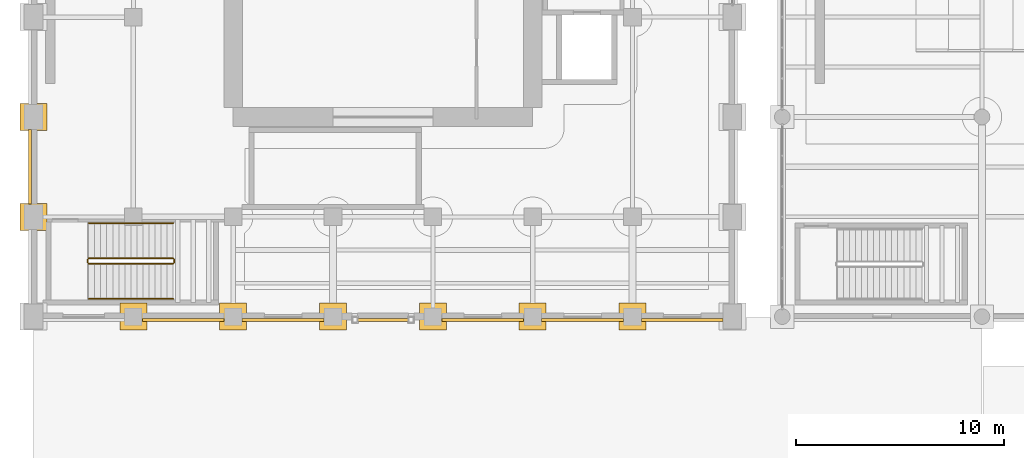
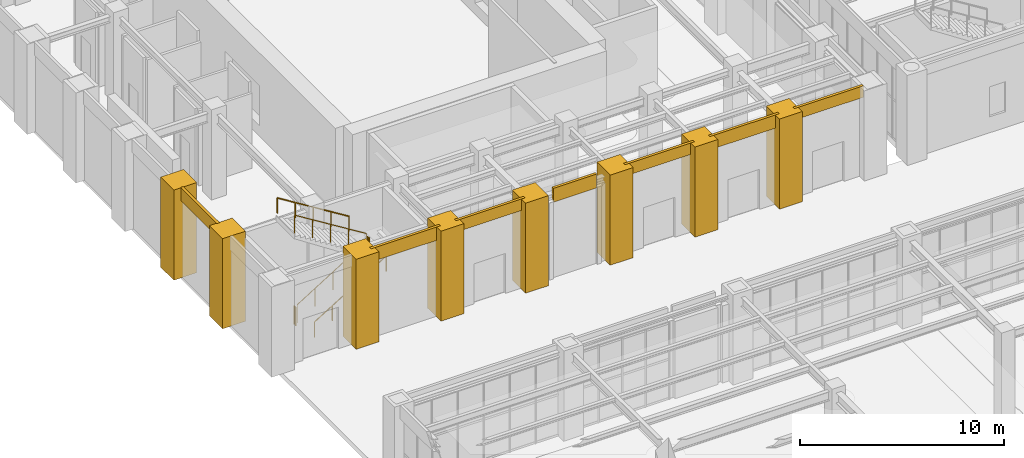
# One storey, part 143 of 164: 15 coverings, 6 railings.
"""IFC4 building model written with IfcOpenShell, lengths in metres."""

from ifc_helpers import new_model, si_unit, direction, frame, origin, origin_2d, place, context, subcontext, project, spatial, polyline, circle, outline, extrude, material, layer, layer_set, type_object, element, save


model = new_model("IFC4")

# Units and contexts
model_context = context("Model", 3, precision=1e-05, world=origin(), true_north=direction((0.0, 1.0)))
body_context = subcontext(model_context, "Body", "Model", "MODEL_VIEW")
ifc_project = project(units=[si_unit("LENGTHUNIT", "METRE"), si_unit("AREAUNIT", "SQUARE_METRE"), si_unit("VOLUMEUNIT", "CUBIC_METRE"), si_unit("PLANEANGLEUNIT", "RADIAN"), si_unit("MASSUNIT", "GRAM", prefix="KILO")], contexts=[model_context])

# Site, building, storey
site_placement = place(None, origin())
site = spatial("IfcSite", under=ifc_project, at=site_placement, CompositionType="ELEMENT")
building_placement = place(site_placement, origin())
building = spatial("IfcBuilding", under=site, at=building_placement, Name="Mavantir Sound Aquarium", CompositionType="ELEMENT")
storey_placement = place(building_placement, origin())
storey = spatial("IfcBuildingStorey", under=building, at=storey_placement, Name="L00", CompositionType="ELEMENT", Elevation=0.0)

# Coverings
ifc_material_1 = material(Name="Honed Coral-Limestone & Glazed Terracotta Rainscreen Cladding", Category="masonry")
ifc_layer = layer(ifc_material_1, 0.06005859375, Name="Honed Coral-Limestone & Glazed Terracotta Rainscreen Cladding")
ifc_layer_set = layer_set([ifc_layer], Name="Honed Coral-Limestone & Glazed Terracotta Rainscreen Cladding")
covering_type = type_object("IfcCoveringType", Name="COV-CLAD-TC", PredefinedType="CLADDING", material=ifc_layer_set)
covering_1_placement = place(storey_placement, frame((0.0, 0.0, 4.60791015625)))
element("IfcCovering", 1, at=covering_1_placement, inside=storey, type_object=covering_type, Name="L00 Postmodern coral-limestone spandrel frieze 22", PredefinedType="CLADDING", context=body_context, shape_type="SweptSolid", body=[
    extrude(outline(polyline([(-0.090087890625, 49.7919921875), (-0.090087890625, 46.2080078125), (-0.239990234375, 46.2080078125), (-0.239990234375, 49.7919921875), (-0.090087890625, 49.7919921875)])), origin(), (0.0, 0.0, 1.0), 0.7919921875),
])
covering_2_placement = place(storey_placement, frame((0.0, 0.0, 4.60791015625)))
element("IfcCovering", 2, at=covering_2_placement, inside=storey, type_object=covering_type, Name="L00 Postmodern coral-limestone spandrel frieze 25", PredefinedType="CLADDING", context=body_context, shape_type="SweptSolid", body=[
    extrude(outline(polyline([(5.23291015625, 40.7099609375), (9.1669921875, 40.7099609375), (9.1669921875, 40.56005859375), (5.23291015625, 40.56005859375), (5.23291015625, 40.7099609375)])), origin(), (0.0, 0.0, 1.0), 0.7919921875),
])
covering_3_placement = place(storey_placement, frame((0.0, 0.0, 4.712890625)))
element("IfcCovering", 3, at=covering_3_placement, inside=storey, type_object=covering_type, Name="L00 Postmodern coral-limestone spandrel frieze 26", PredefinedType="CLADDING", context=body_context, shape_type="SweptSolid", body=[
    extrude(outline(polyline([(10.032958984375, 40.7099609375), (13.967041015625, 40.7099609375), (13.967041015625, 40.56005859375), (10.032958984375, 40.56005859375), (10.032958984375, 40.7099609375)])), origin(), (0.0, 0.0, 1.0), 0.68701171875),
])
covering_4_placement = place(storey_placement, frame((0.0, 0.0, 4.571044921875)))
element("IfcCovering", 4, at=covering_4_placement, inside=storey, type_object=covering_type, Name="L00 Postmodern coral-limestone spandrel frieze 27", PredefinedType="CLADDING", context=body_context, shape_type="SweptSolid", body=[
    extrude(outline(polyline([(15.5830078125, 40.7099609375), (18.01708984375, 40.7099609375), (18.01708984375, 40.56005859375), (15.5830078125, 40.56005859375), (15.5830078125, 40.7099609375)])), origin(), (0.0, 0.0, 1.0), 0.828857421875),
])
covering_5_placement = place(storey_placement, frame((0.0, 0.0, 4.712890625)))
element("IfcCovering", 5, at=covering_5_placement, inside=storey, type_object=covering_type, Name="L00 Postmodern coral-limestone spandrel frieze 28", PredefinedType="CLADDING", context=body_context, shape_type="SweptSolid", body=[
    extrude(outline(polyline([(19.633056640625, 40.7099609375), (23.56689453125, 40.7099609375), (23.56689453125, 40.56005859375), (19.633056640625, 40.56005859375), (19.633056640625, 40.7099609375)])), origin(), (0.0, 0.0, 1.0), 0.68701171875),
])
covering_6_placement = place(storey_placement, frame((0.0, 0.0, 4.60791015625)))
element("IfcCovering", 6, at=covering_6_placement, inside=storey, type_object=covering_type, Name="L00 Postmodern coral-limestone spandrel frieze 29", PredefinedType="CLADDING", context=body_context, shape_type="SweptSolid", body=[
    extrude(outline(polyline([(24.43310546875, 40.7099609375), (28.366943359375, 40.7099609375), (28.366943359375, 40.56005859375), (24.43310546875, 40.56005859375), (24.43310546875, 40.7099609375)])), origin(), (0.0, 0.0, 1.0), 0.7919921875),
])
covering_7_placement = place(storey_placement, frame((0.0, 0.0, 4.712890625)))
element("IfcCovering", 7, at=covering_7_placement, inside=storey, type_object=covering_type, Name="L00 Postmodern coral-limestone spandrel frieze 30", PredefinedType="CLADDING", context=body_context, shape_type="SweptSolid", body=[
    extrude(outline(polyline([(29.23291015625, 40.7099609375), (33.14208984375, 40.7099609375), (33.14208984375, 40.56005859375), (29.23291015625, 40.56005859375), (29.23291015625, 40.7099609375)])), origin(), (0.0, 0.0, 1.0), 0.68701171875),
])
covering_8_placement = place(storey_placement, origin())
element("IfcCovering", 8, at=covering_8_placement, inside=storey, type_object=covering_type, Name="L00 Postmodern coral-limestone pilaster casing 5", PredefinedType="CLADDING", context=body_context, shape_type="SweptSolid", body=[
    extrude(outline(polyline([(-0.64990234375, 44.949951171875), (0.64990234375, 44.949951171875), (0.64990234375, 46.25), (-0.64990234375, 46.25), (-0.64990234375, 44.949951171875)])), origin(), (0.0, 0.0, 1.0), 5.39990234375),
])
covering_9_placement = place(storey_placement, origin())
element("IfcCovering", 9, at=covering_9_placement, inside=storey, type_object=covering_type, Name="L00 Postmodern coral-limestone pilaster casing 9", PredefinedType="CLADDING", context=body_context, shape_type="SweptSolid", body=[
    extrude(outline(polyline([(-0.64990234375, 49.75), (0.64990234375, 49.75), (0.64990234375, 51.050048828125), (-0.64990234375, 51.050048828125), (-0.64990234375, 49.75)])), origin(), (0.0, 0.0, 1.0), 5.39990234375),
])
covering_10_placement = place(storey_placement, origin())
element("IfcCovering", 10, at=covering_10_placement, inside=storey, type_object=covering_type, Name="L00 Postmodern coral-limestone pilaster casing 37", PredefinedType="CLADDING", context=body_context, shape_type="SweptSolid", body=[
    extrude(outline(polyline([(4.14990234375, 40.14990234375), (5.449951171875, 40.14990234375), (5.449951171875, 41.449951171875), (4.14990234375, 41.449951171875), (4.14990234375, 40.14990234375)])), origin(), (0.0, 0.0, 1.0), 5.39990234375),
])
covering_11_placement = place(storey_placement, origin())
element("IfcCovering", 11, at=covering_11_placement, inside=storey, type_object=covering_type, Name="L00 Postmodern coral-limestone pilaster casing 45", PredefinedType="CLADDING", context=body_context, shape_type="SweptSolid", body=[
    extrude(outline(polyline([(8.949951171875, 40.14990234375), (10.25, 40.14990234375), (10.25, 41.449951171875), (8.949951171875, 41.449951171875), (8.949951171875, 40.14990234375)])), origin(), (0.0, 0.0, 1.0), 5.39990234375),
])
covering_12_placement = place(storey_placement, origin())
element("IfcCovering", 12, at=covering_12_placement, inside=storey, type_object=covering_type, Name="L00 Postmodern coral-limestone pilaster casing 53", PredefinedType="CLADDING", context=body_context, shape_type="SweptSolid", body=[
    extrude(outline(polyline([(13.75, 40.14990234375), (15.050048828125, 40.14990234375), (15.050048828125, 41.449951171875), (13.75, 41.449951171875), (13.75, 40.14990234375)])), origin(), (0.0, 0.0, 1.0), 5.39990234375),
])
covering_13_placement = place(storey_placement, origin())
element("IfcCovering", 13, at=covering_13_placement, inside=storey, type_object=covering_type, Name="L00 Postmodern coral-limestone pilaster casing 61", PredefinedType="CLADDING", context=body_context, shape_type="SweptSolid", body=[
    extrude(outline(polyline([(18.550048828125, 40.14990234375), (19.85009765625, 40.14990234375), (19.85009765625, 41.449951171875), (18.550048828125, 41.449951171875), (18.550048828125, 40.14990234375)])), origin(), (0.0, 0.0, 1.0), 5.39990234375),
])
covering_14_placement = place(storey_placement, origin())
element("IfcCovering", 14, at=covering_14_placement, inside=storey, type_object=covering_type, Name="L00 Postmodern coral-limestone pilaster casing 69", PredefinedType="CLADDING", context=body_context, shape_type="SweptSolid", body=[
    extrude(outline(polyline([(23.35009765625, 40.14990234375), (24.64990234375, 40.14990234375), (24.64990234375, 41.449951171875), (23.35009765625, 41.449951171875), (23.35009765625, 40.14990234375)])), origin(), (0.0, 0.0, 1.0), 5.39990234375),
])
covering_15_placement = place(storey_placement, origin())
element("IfcCovering", 15, at=covering_15_placement, inside=storey, type_object=covering_type, Name="L00 Postmodern coral-limestone pilaster casing 77", PredefinedType="CLADDING", context=body_context, shape_type="SweptSolid", body=[
    extrude(outline(polyline([(28.14990234375, 40.14990234375), (29.449951171875, 40.14990234375), (29.449951171875, 41.449951171875), (28.14990234375, 41.449951171875), (28.14990234375, 40.14990234375)])), origin(), (0.0, 0.0, 1.0), 5.39990234375),
])

# Railings
ifc_material_2 = material(Name="Stainless Steel 316 and Laminated Glass Guardrail", Category="steel")
railing_type_1 = type_object("IfcRailingType", Name="RL-GUARD-110", PredefinedType="GUARDRAIL", material=ifc_material_2)
railing_1_placement = place(storey_placement, frame((2.64990234375, 43.35009765625, 0.179931640625)))
element("IfcRailing", 16, at=railing_1_placement, inside=storey, type_object=railing_type_1, Name="L00 ST1 stair guard 1", PredefinedType="GUARDRAIL", context=body_context, shape_type="SweptSolid", body=[
    extrude(circle(Radius=0.02392578125, at=origin_2d()), frame((0.0, 0.0, 1.076171875), z_axis=(0.849641744969, 0.0, 0.527360318194), x_axis=(0.0, 1.0, 0.0)), (0.0, 0.0, 1.0), 4.778564453125),
    extrude(circle(Radius=0.02099609375, at=origin_2d()), origin(), (0.0, 0.0, 1.0), 1.052001953125),
    extrude(circle(Radius=0.02099609375, at=origin_2d()), frame((1.01513671875, 0.0, 0.6298828125)), (0.0, 0.0, 1.0), 1.052001953125),
    extrude(circle(Radius=0.02099609375, at=origin_2d()), frame((2.030029296875, 0.0, 1.260009765625)), (0.0, 0.0, 1.0), 1.052001953125),
    extrude(circle(Radius=0.02099609375, at=origin_2d()), frame((3.044921875, 0.0, 1.89013671875)), (0.0, 0.0, 1.0), 1.052001953125),
    extrude(circle(Radius=0.02099609375, at=origin_2d()), frame((4.06005859375, 0.0, 2.52001953125)), (0.0, 0.0, 1.0), 1.052001953125),
])
railing_2_placement = place(storey_placement, frame((6.760009765625, 43.39990234375, 2.699951171875)))
element("IfcRailing", 17, at=railing_2_placement, inside=storey, type_object=railing_type_1, Name="L00 ST1 stair guard 2", PredefinedType="GUARDRAIL", context=body_context, shape_type="SweptSolid", body=[
    extrude(circle(Radius=0.02392578125, at=origin_2d()), frame((0.0, 0.0, 1.076171875), z_axis=(0.0, 1.0, 0.0), x_axis=(-1.0, 0.0, 0.0)), (0.0, 0.0, 1.0), 0.150146484375),
    extrude(circle(Radius=0.02099609375, at=origin_2d()), origin(), (0.0, 0.0, 1.0), 1.052001953125),
    extrude(circle(Radius=0.02099609375, at=origin_2d()), frame((0.0, 0.150146484375, 0.0)), (0.0, 0.0, 1.0), 1.052001953125),
])
railing_3_placement = place(storey_placement, frame((6.7099609375, 43.60009765625, 2.8798828125)))
element("IfcRailing", 18, at=railing_3_placement, inside=storey, type_object=railing_type_1, Name="L00 ST1 stair guard 3", PredefinedType="GUARDRAIL", context=body_context, shape_type="SweptSolid", body=[
    extrude(circle(Radius=0.02392578125, at=origin_2d()), frame((0.0, 0.0, 1.076171875), z_axis=(-0.849641744969, 0.0, 0.527360318194), x_axis=(0.0, -1.0, 0.0)), (0.0, 0.0, 1.0), 4.778564453125),
    extrude(circle(Radius=0.02099609375, at=origin_2d()), origin(), (0.0, 0.0, 1.0), 1.052001953125),
    extrude(circle(Radius=0.02099609375, at=origin_2d()), frame((-1.01513671875, 0.0, 0.6298828125)), (0.0, 0.0, 1.0), 1.052001953125),
    extrude(circle(Radius=0.02099609375, at=origin_2d()), frame((-2.030029296875, 0.0, 1.260009765625)), (0.0, 0.0, 1.0), 1.052001953125),
    extrude(circle(Radius=0.02099609375, at=origin_2d()), frame((-3.044921875, 0.0, 1.89013671875)), (0.0, 0.0, 1.0), 1.052001953125),
    extrude(circle(Radius=0.02099609375, at=origin_2d()), frame((-4.06005859375, 0.0, 2.52001953125)), (0.0, 0.0, 1.0), 1.052001953125),
])
railing_4_placement = place(storey_placement, frame((2.60009765625, 43.39990234375, 0.0)))
element("IfcRailing", 19, at=railing_4_placement, inside=storey, type_object=railing_type_1, Name="L00 ST1 stair guard 4", PredefinedType="GUARDRAIL", context=body_context, shape_type="SweptSolid", body=[
    extrude(circle(Radius=0.02392578125, at=origin_2d()), frame((0.0, 0.0, 1.076171875), z_axis=(0.0, 1.0, 0.0), x_axis=(-1.0, 0.0, 0.0)), (0.0, 0.0, 1.0), 0.150146484375),
    extrude(circle(Radius=0.02099609375, at=origin_2d()), origin(), (0.0, 0.0, 1.0), 1.052001953125),
    extrude(circle(Radius=0.02099609375, at=origin_2d()), frame((0.0, 0.150146484375, 0.0)), (0.0, 0.0, 1.0), 1.052001953125),
])
ifc_material_3 = material(Name="Brushed Stainless Steel 316 Handrail", Category="steel")
railing_type_2 = type_object("IfcRailingType", Name="RL-HR-90", PredefinedType="HANDRAIL", material=ifc_material_3)
railing_5_placement = place(storey_placement, frame((2.64990234375, 41.64990234375, 0.364990234375)))
element("IfcRailing", 20, at=railing_5_placement, inside=storey, type_object=railing_type_2, Name="L00 ST1 stair handrail 1", PredefinedType="HANDRAIL", context=body_context, shape_type="SweptSolid", body=[
    extrude(circle(Radius=0.02392578125, at=origin_2d()), frame((0.0, 0.0, 0.89111328125), z_axis=(0.849641744969, 0.0, 0.527360318194), x_axis=(0.0, 1.0, 0.0)), (0.0, 0.0, 1.0), 4.778564453125),
    extrude(circle(Radius=0.02099609375, at=origin_2d()), origin(), (0.0, 0.0, 1.0), 0.866943359375),
    extrude(circle(Radius=0.02099609375, at=origin_2d()), frame((1.01513671875, 0.0, 0.6298828125)), (0.0, 0.0, 1.0), 0.866943359375),
    extrude(circle(Radius=0.02099609375, at=origin_2d()), frame((2.030029296875, 0.0, 1.260009765625)), (0.0, 0.0, 1.0), 0.866943359375),
    extrude(circle(Radius=0.02099609375, at=origin_2d()), frame((3.044921875, 0.0, 1.89013671875)), (0.0, 0.0, 1.0), 0.866943359375),
    extrude(circle(Radius=0.02099609375, at=origin_2d()), frame((4.06005859375, 0.0, 2.52001953125)), (0.0, 0.0, 1.0), 0.866943359375),
])
railing_6_placement = place(storey_placement, frame((6.7099609375, 45.300048828125, 3.06494140625)))
element("IfcRailing", 21, at=railing_6_placement, inside=storey, type_object=railing_type_2, Name="L00 ST1 stair handrail 2", PredefinedType="HANDRAIL", context=body_context, shape_type="SweptSolid", body=[
    extrude(circle(Radius=0.02392578125, at=origin_2d()), frame((0.0, 0.0, 0.89111328125), z_axis=(-0.849641744969, 0.0, 0.527360318194), x_axis=(0.0, -1.0, 0.0)), (0.0, 0.0, 1.0), 4.778564453125),
    extrude(circle(Radius=0.02099609375, at=origin_2d()), origin(), (0.0, 0.0, 1.0), 0.866943359375),
    extrude(circle(Radius=0.02099609375, at=origin_2d()), frame((-1.01513671875, 0.0, 0.6298828125)), (0.0, 0.0, 1.0), 0.866943359375),
    extrude(circle(Radius=0.02099609375, at=origin_2d()), frame((-2.030029296875, 0.0, 1.260009765625)), (0.0, 0.0, 1.0), 0.866943359375),
    extrude(circle(Radius=0.02099609375, at=origin_2d()), frame((-3.044921875, 0.0, 1.89013671875)), (0.0, 0.0, 1.0), 0.866943359375),
    extrude(circle(Radius=0.02099609375, at=origin_2d()), frame((-4.06005859375, 0.0, 2.52001953125)), (0.0, 0.0, 1.0), 0.866943359375),
])

save(model, "model.ifc")
